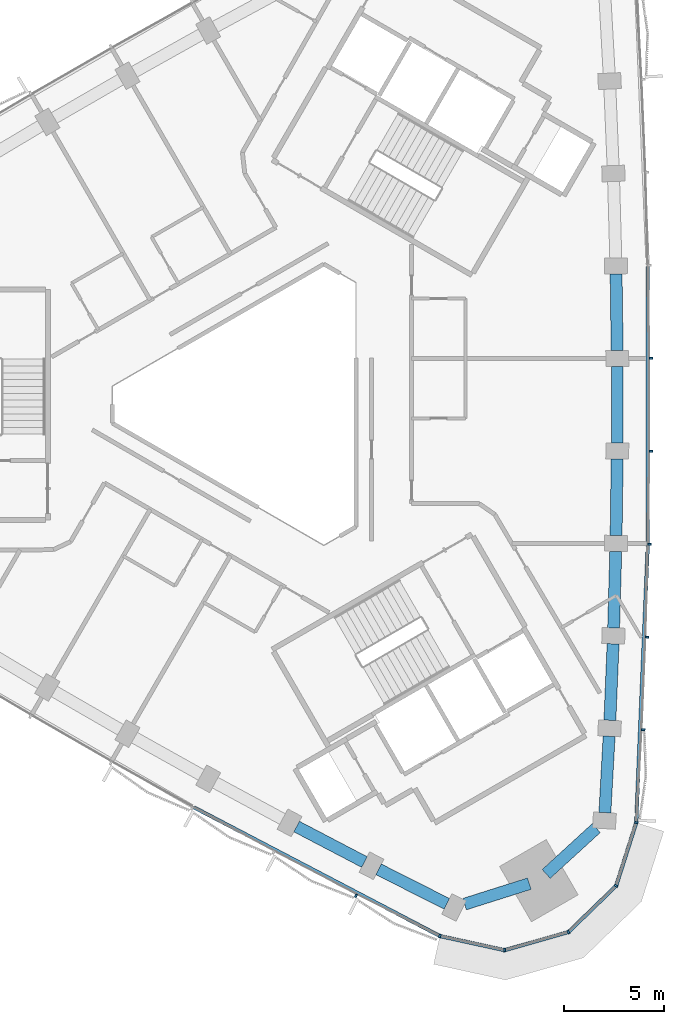
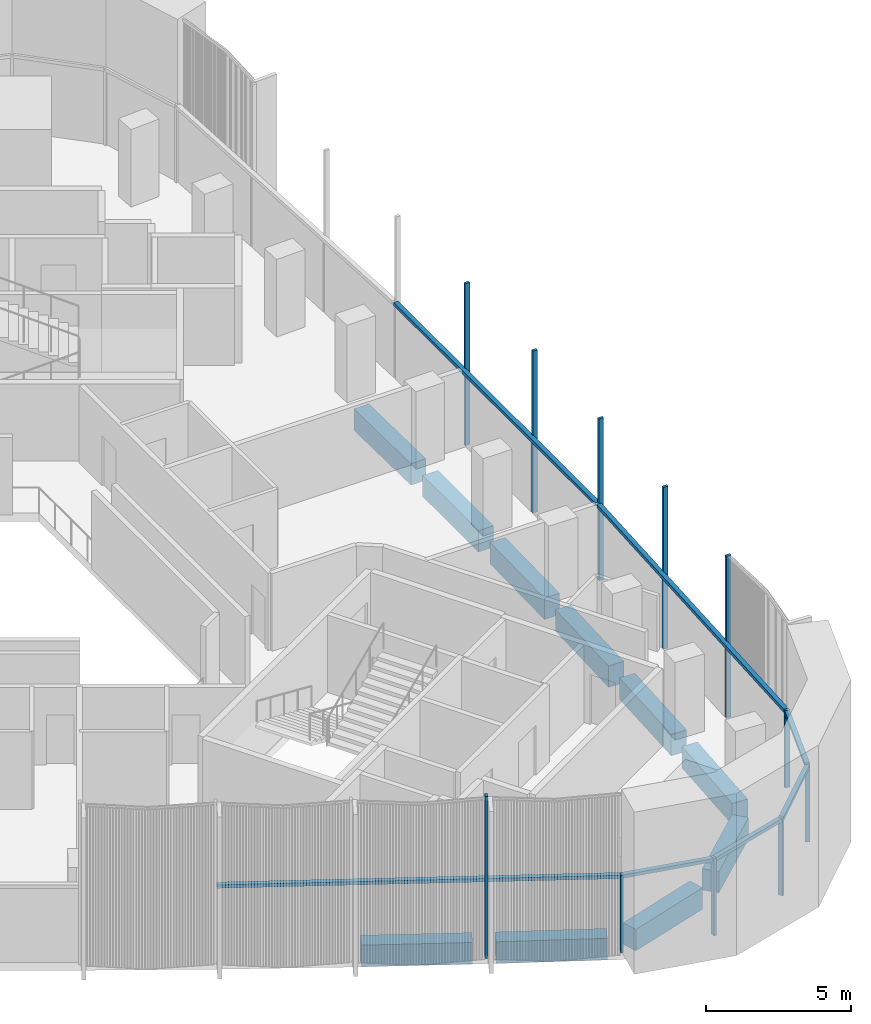
# One storey, part 3 of 13: 18 members, 10 beams, 2 elements without a shape of their own.
"""IFC4 building model written with IfcOpenShell, lengths in metres."""

from ifc_helpers import new_model, si_unit, direction, frame, origin, origin_2d, place, context, subcontext, project, spatial, rectangle, extrude, material, material_profile, profile_set, type_object, element, aggregate, save


model = new_model("IFC4")

# Units and contexts
model_context = context("Model", 3, precision=1e-05, world=origin(), true_north=direction((0.0, 1.0)))
body_context = subcontext(model_context, "Body", "Model", "MODEL_VIEW")
ifc_project = project(units=[si_unit("LENGTHUNIT", "METRE"), si_unit("AREAUNIT", "SQUARE_METRE"), si_unit("VOLUMEUNIT", "CUBIC_METRE"), si_unit("PLANEANGLEUNIT", "RADIAN"), si_unit("MASSUNIT", "GRAM", prefix="KILO")], contexts=[model_context])

# Site, building, storey
site_placement = place(None, origin())
site = spatial("IfcSite", under=ifc_project, at=site_placement, CompositionType="ELEMENT")
building_placement = place(site_placement, origin())
building = spatial("IfcBuilding", under=site, at=building_placement, Name="Tamra Quay Hotel Tower", CompositionType="ELEMENT")
storey_placement = place(building_placement, frame((0.0, 0.0, 204.39990234375)))
storey = spatial("IfcBuildingStorey", under=building, at=storey_placement, Name="L51", CompositionType="ELEMENT", Elevation=204.39990234375)

# Curtain wall, members
ifc_material_1 = material(Name="Aluminium 6063 anodised dark grey", Category="aluminium")
curtain_wall_type_1 = type_object("IfcCurtainWallType", Name="CW1 CURTAIN WALL", PredefinedType="NOTDEFINED", material=ifc_material_1)
curtain_wall_1_placement = place(storey_placement, origin())
curtain_wall_1 = element("IfcCurtainWall", 1, at=curtain_wall_1_placement, inside=storey, type_object=curtain_wall_type_1, Name="CW1 east face L51", PredefinedType="NOTDEFINED")
ifc_material_profile_1 = material_profile(ifc_material_1, rectangle(XDim=0.179931640625, YDim=0.10009765625, at=origin_2d()), Name="MULLION 100X180")
ifc_profile_set_1 = profile_set([ifc_material_profile_1], Name="Aluminium 6063 anodised dark grey")
member_type_1 = type_object("IfcMemberType", Name="MULLION CW1 Z4", PredefinedType="MULLION", material=ifc_profile_set_1)
member_1_placement = place(storey_placement, frame((18.665283203125, -20.955078125, 0.0), z_axis=(0.0, 0.0, 1.0), x_axis=(0.983509429279, -0.180856856435, 0.0)))
member_1 = element("IfcMember", 2, at=member_1_placement, type_object=member_type_1, Name="CW1 mullion L51.E.1", PredefinedType="MULLION", context=body_context, shape_type="SweptSolid", body=[
    extrude(rectangle(XDim=0.179931640625, YDim=0.10009765625, at=origin_2d()), origin(), (0.0, 0.0, 1.0), 3.25),
])
member_2_placement = place(storey_placement, frame((19.013427734375, -16.30712890625, 0.0), z_axis=(0.0, 0.0, 1.0), x_axis=(0.998822718062, -0.048509564873, 0.0)))
member_2 = element("IfcMember", 3, at=member_2_placement, type_object=member_type_1, Name="CW1 mullion L51.E.2", PredefinedType="MULLION", context=body_context, shape_type="SweptSolid", body=[
    extrude(rectangle(XDim=0.179931640625, YDim=0.10009765625, at=origin_2d()), origin(), (0.0, 0.0, 1.0), 6.800048828125),
])
member_3_placement = place(storey_placement, frame((19.20751953125, -11.64990234375, 0.0), z_axis=(0.0, 0.0, 1.0), x_axis=(0.999398551389, -0.034677593353, 0.0)))
member_3 = element("IfcMember", 4, at=member_3_placement, type_object=member_type_1, Name="CW1 mullion L51.E.3", PredefinedType="MULLION", context=body_context, shape_type="SweptSolid", body=[
    extrude(rectangle(XDim=0.179931640625, YDim=0.10009765625, at=origin_2d()), origin(), (0.0, 0.0, 1.0), 6.800048828125),
])
member_4_placement = place(storey_placement, frame((19.336669921875, -6.991455078125, 0.0), z_axis=(0.0, 0.0, 1.0), x_axis=(0.999783233149, -0.020820343761, 0.0)))
member_4 = element("IfcMember", 5, at=member_4_placement, type_object=member_type_1, Name="CW1 mullion L51.E.4", PredefinedType="MULLION", context=body_context, shape_type="SweptSolid", body=[
    extrude(rectangle(XDim=0.179931640625, YDim=0.10009765625, at=origin_2d()), origin(), (0.0, 0.0, 1.0), 6.800048828125),
])
member_5_placement = place(storey_placement, frame((19.4013671875, -2.33056640625, 0.0), z_axis=(0.0, 0.0, 1.0), x_axis=(0.999975895943, -0.006943164489, 0.0)))
member_5 = element("IfcMember", 6, at=member_5_placement, type_object=member_type_1, Name="CW1 mullion L51.E.5", PredefinedType="MULLION", context=body_context, shape_type="SweptSolid", body=[
    extrude(rectangle(XDim=0.179931640625, YDim=0.10009765625, at=origin_2d()), origin(), (0.0, 0.0, 1.0), 6.800048828125),
])
member_6_placement = place(storey_placement, frame((19.4013671875, 2.33056640625, 0.0), z_axis=(0.0, 0.0, 1.0), x_axis=(0.999975895943, 0.006943164489, 0.0)))
member_6 = element("IfcMember", 7, at=member_6_placement, type_object=member_type_1, Name="CW1 mullion L51.E.6", PredefinedType="MULLION", context=body_context, shape_type="SweptSolid", body=[
    extrude(rectangle(XDim=0.179931640625, YDim=0.10009765625, at=origin_2d()), origin(), (0.0, 0.0, 1.0), 6.800048828125),
])

curtain_wall_type_2 = type_object("IfcCurtainWallType", Name="CW3 CURTAIN WALL", PredefinedType="NOTDEFINED", material=ifc_material_1)
curtain_wall_2_placement = place(storey_placement, origin())
curtain_wall_2 = element("IfcCurtainWall", 8, at=curtain_wall_2_placement, inside=storey, type_object=curtain_wall_type_2, Name="CW3 south-west face L51", PredefinedType="NOTDEFINED")
ifc_material_profile_2 = material_profile(ifc_material_1, rectangle(XDim=0.179931640625, YDim=0.10009765625, at=origin_2d()), Name="MULLION 100X180")
ifc_profile_set_2 = profile_set([ifc_material_profile_2], Name="Aluminium 6063 anodised dark grey")
member_type_2 = type_object("IfcMemberType", Name="MULLION CW3 Z4", PredefinedType="MULLION", material=ifc_profile_set_2)
member_7_placement = place(storey_placement, frame((4.61572265625, -24.61962890625, 0.0), z_axis=(0.0, 0.0, 1.0), x_axis=(-0.457400843524, -0.889260630155, 0.0)))
member_7 = element("IfcMember", 9, at=member_7_placement, type_object=member_type_2, Name="CW3 mullion L51.SW.9", PredefinedType="MULLION", context=body_context, shape_type="SweptSolid", body=[
    extrude(rectangle(XDim=0.179931640625, YDim=0.10009765625, at=origin_2d()), origin(), (0.0, 0.0, 1.0), 6.800048828125),
])
member_8_placement = place(storey_placement, frame((8.81494140625, -26.642333984375, 0.0), z_axis=(0.0, 0.0, 1.0), x_axis=(-0.335128082518, -0.942172578834, 0.0)))
member_8 = element("IfcMember", 10, at=member_8_placement, type_object=member_type_2, Name="CW3 mullion L51.SW.10", PredefinedType="MULLION", context=body_context, shape_type="SweptSolid", body=[
    extrude(rectangle(XDim=0.179931640625, YDim=0.10009765625, at=origin_2d()), origin(), (0.0, 0.0, 1.0), 3.25),
])
member_9_placement = place(storey_placement, frame((12.06591796875, -27.353271484375, 0.0), z_axis=(0.0, 0.0, 1.0), x_axis=(0.030975337936, -0.999520149091, 0.0)))
member_9 = element("IfcMember", 11, at=member_9_placement, type_object=member_type_2, Name="CW3 mullion L51.SW.11", PredefinedType="MULLION", context=body_context, shape_type="SweptSolid", body=[
    extrude(rectangle(XDim=0.179931640625, YDim=0.10009765625, at=origin_2d()), origin(), (0.0, 0.0, 1.0), 3.25),
])
member_10_placement = place(storey_placement, frame((15.2666015625, -26.4423828125, 0.0), z_axis=(0.0, 0.0, 1.0), x_axis=(0.5, -0.866025403784, 0.0)))
member_10 = element("IfcMember", 12, at=member_10_placement, type_object=member_type_2, Name="CW3 mullion L51.SW.12", PredefinedType="MULLION", context=body_context, shape_type="SweptSolid", body=[
    extrude(rectangle(XDim=0.179931640625, YDim=0.10009765625, at=origin_2d()), origin(), (0.0, 0.0, 1.0), 3.25),
])
member_11_placement = place(storey_placement, frame((17.65576171875, -24.1259765625, 0.0), z_axis=(0.0, 0.0, 1.0), x_axis=(0.85012217174, -0.526585504089, 0.0)))
member_11 = element("IfcMember", 13, at=member_11_placement, type_object=member_type_2, Name="CW3 mullion L51.SW.13", PredefinedType="MULLION", context=body_context, shape_type="SweptSolid", body=[
    extrude(rectangle(XDim=0.179931640625, YDim=0.10009765625, at=origin_2d()), origin(), (0.0, 0.0, 1.0), 3.25),
])

# Beams
ifc_material_2 = material(Name="Concrete M60", Category="concrete")
ifc_material_profile_3 = material_profile(ifc_material_2, rectangle(XDim=0.60009765625, YDim=0.89990234375, at=origin_2d()), Name="SPANDREL BEAM RC 600x900")
ifc_profile_set_3 = profile_set([ifc_material_profile_3], Name="Concrete M60")
beam_type = type_object("IfcBeamType", Name="SPANDREL BEAM RC 600x900", PredefinedType="SPANDREL", material=ifc_profile_set_3)
beam_1_placement = place(storey_placement, frame((17.091796875, -20.456787109375, -0.7998046875), z_axis=(0.055346700292, 0.99846719664, 0.0), x_axis=(-0.99846719664, 0.055346700292, 0.0)))
element("IfcBeam", 14, at=beam_1_placement, inside=storey, type_object=beam_type, Name="BM-SP4-000-L51", PredefinedType="SPANDREL", context=body_context, shape_type="SweptSolid", body=[
    extrude(rectangle(XDim=0.60009765625, YDim=0.89990234375, at=origin_2d()), origin(), (0.0, 0.0, 1.0), 3.837646484375),
])
beam_2_placement = place(storey_placement, frame((17.343017578125, -15.82568359375, -0.7998046875), z_axis=(0.041609373826, 0.999133954988, 0.0), x_axis=(-0.999133954988, 0.041609373826, 0.0)))
element("IfcBeam", 15, at=beam_2_placement, inside=storey, type_object=beam_type, Name="BM-SP4-001-L51", PredefinedType="SPANDREL", context=body_context, shape_type="SweptSolid", body=[
    extrude(rectangle(XDim=0.60009765625, YDim=0.89990234375, at=origin_2d()), origin(), (0.0, 0.0, 1.0), 3.83740234375),
])
beam_3_placement = place(storey_placement, frame((17.530517578125, -11.192138671875, -0.7998046875), z_axis=(0.02773528523, 0.999615302981, 0.0), x_axis=(-0.999615302981, 0.02773528523, 0.0)))
element("IfcBeam", 16, at=beam_3_placement, inside=storey, type_object=beam_type, Name="BM-SP4-002-L51", PredefinedType="SPANDREL", context=body_context, shape_type="SweptSolid", body=[
    extrude(rectangle(XDim=0.60009765625, YDim=0.89990234375, at=origin_2d()), origin(), (0.0, 0.0, 1.0), 3.837890625),
])
for number, where, z_axis, x_axis, name in (
    (17, (17.65380859375, -6.555908203125, -0.7998046875), (0.01380539035, 0.999904701058, 0.0), (-0.999904701058, 0.01380539035, 0.0), "BM-SP4-003-L51"),
    (18, (17.71240234375, -1.918701171875, -0.7998046875), (0.0, 1.0, 0.0), (-1.0, 0.0, 0.0), "BM-SP4-004-L51"),
    (19, (17.706787109375, 2.71875, -0.7998046875), (-0.01380539035, 0.999904701058, 0.0), (-0.999904701058, -0.01380539035, 0.0), "BM-SP4-005-L51"),
    (20, (1.6337890625, -21.153564453125, -0.7998046875), (0.886043134182, -0.463602808845, 0.0), (0.463602808845, 0.886043134182, 0.0), "BM-SP4-029-L51"),
):
    element("IfcBeam", number, at=place(storey_placement, frame(where, z_axis=z_axis, x_axis=x_axis)), inside=storey, type_object=beam_type, Name=name, PredefinedType="SPANDREL", context=body_context, shape_type="SweptSolid", body=[
        extrude(rectangle(XDim=0.60009765625, YDim=0.89990234375, at=origin_2d()), origin(), (0.0, 0.0, 1.0), 3.83740234375),
    ])
beam_4_placement = place(storey_placement, frame((5.745361328125, -23.29833984375, -0.7998046875), z_axis=(0.892407883039, -0.451229620359, 0.0), x_axis=(0.451229620359, 0.892407883039, 0.0)))
element("IfcBeam", 21, at=beam_4_placement, inside=storey, type_object=beam_type, Name="BM-SP4-030-L51", PredefinedType="SPANDREL", context=body_context, shape_type="SweptSolid", body=[
    extrude(rectangle(XDim=0.60009765625, YDim=0.89990234375, at=origin_2d()), origin(), (0.0, 0.0, 1.0), 3.837646484375),
])
beam_5_placement = place(storey_placement, frame((10.057373046875, -25.043212890625, -0.7998046875), z_axis=(0.953502415748, 0.301385373174, 0.0), x_axis=(-0.301385373174, 0.953502415748, 0.0)))
element("IfcBeam", 22, at=beam_5_placement, inside=storey, type_object=beam_type, Name="BM-SP4-031-L51", PredefinedType="SPANDREL", context=body_context, shape_type="SweptSolid", body=[
    extrude(rectangle(XDim=0.60009765625, YDim=0.89990234375, at=origin_2d()), origin(), (0.0, 0.0, 1.0), 3.40380859375),
])
beam_6_placement = place(storey_placement, frame((14.14794921875, -23.52978515625, -0.7998046875), z_axis=(0.737716497183, 0.675110635218, 0.0), x_axis=(-0.675110635218, 0.737716497183, 0.0)))
element("IfcBeam", 23, at=beam_6_placement, inside=storey, type_object=beam_type, Name="BM-SP4-032-L51", PredefinedType="SPANDREL", context=body_context, shape_type="SweptSolid", body=[
    extrude(rectangle(XDim=0.60009765625, YDim=0.89990234375, at=origin_2d()), origin(), (0.0, 0.0, 1.0), 3.404296875),
])

# Member
ifc_material_profile_4 = material_profile(ifc_material_1, rectangle(XDim=0.179931640625, YDim=0.139892578125, at=origin_2d()), Name="TRANSOM 180X140")
ifc_profile_set_4 = profile_set([ifc_material_profile_4], Name="Aluminium 6063 anodised dark grey")
member_type_3 = type_object("IfcMemberType", Name="TRANSOM CW1 Z4", PredefinedType="USERDEFINED", material=ifc_profile_set_4)
member_12_placement = place(storey_placement, frame((18.668212890625, -20.9052734375, 3.18017578125), z_axis=(0.041588103727, 0.999134840564, 0.0), x_axis=(-0.999134840564, 0.041588103727, 0.0)))
member_12 = element("IfcMember", 24, at=member_12_placement, type_object=member_type_3, Name="CW1 transom L51.E.1", ObjectType="TRANSOM", PredefinedType="USERDEFINED", context=body_context, shape_type="SweptSolid", body=[
    extrude(rectangle(XDim=0.179931640625, YDim=0.139892578125, at=origin_2d()), origin(), (0.0, 0.0, 1.0), 13.877685546875),
])

member_13_placement = place(storey_placement, frame((19.24755859375, -6.939453125, 3.18017578125), z_axis=(0.0, 1.0, 0.0), x_axis=(-1.0, 0.0, 0.0)))
member_13 = element("IfcMember", 25, at=member_13_placement, type_object=member_type_3, Name="CW1 transom L51.E.4", ObjectType="TRANSOM", PredefinedType="USERDEFINED", context=body_context, shape_type="SweptSolid", body=[
    extrude(rectangle(XDim=0.179931640625, YDim=0.139892578125, at=origin_2d()), origin(), (0.0, 0.0, 1.0), 13.87890625),
])

aggregate(curtain_wall_1, [member_1, member_12, member_2, member_3, member_4, member_13, member_5, member_6])

ifc_material_profile_5 = material_profile(ifc_material_1, rectangle(XDim=0.179931640625, YDim=0.139892578125, at=origin_2d()), Name="TRANSOM 180X140")
ifc_profile_set_5 = profile_set([ifc_material_profile_5], Name="Aluminium 6063 anodised dark grey")
member_type_4 = type_object("IfcMemberType", Name="TRANSOM CW3 Z4", PredefinedType="USERDEFINED", material=ifc_profile_set_5)
member_14_placement = place(storey_placement, frame((-3.5263671875, -20.186767578125, 3.18017578125), z_axis=(0.886075202027, -0.463541515242, 0.0), x_axis=(0.463541515242, 0.886075202027, 0.0)))
member_14 = element("IfcMember", 26, at=member_14_placement, type_object=member_type_4, Name="CW3 transom L51.SW.7", ObjectType="TRANSOM", PredefinedType="USERDEFINED", context=body_context, shape_type="SweptSolid", body=[
    extrude(rectangle(XDim=0.179931640625, YDim=0.139892578125, at=origin_2d()), origin(), (0.0, 0.0, 1.0), 13.877685546875),
])

member_15_placement = place(storey_placement, frame((8.86376953125, -26.65283203125, 3.18017578125), z_axis=(0.976905938147, -0.21366981072, 0.0), x_axis=(0.21366981072, 0.976905938147, 0.0)))
member_15 = element("IfcMember", 27, at=member_15_placement, type_object=member_type_4, Name="CW3 transom L51.SW.10", ObjectType="TRANSOM", PredefinedType="USERDEFINED", context=body_context, shape_type="SweptSolid", body=[
    extrude(rectangle(XDim=0.179931640625, YDim=0.139892578125, at=origin_2d()), origin(), (0.0, 0.0, 1.0), 3.227783203125),
])

member_16_placement = place(storey_placement, frame((12.114013671875, -27.339599609375, 3.18017578125), z_axis=(0.961806009168, 0.273731987038, 0.0), x_axis=(-0.273731987038, 0.961806009168, 0.0)))
member_16 = element("IfcMember", 28, at=member_16_placement, type_object=member_type_4, Name="CW3 transom L51.SW.11", ObjectType="TRANSOM", PredefinedType="USERDEFINED", context=body_context, shape_type="SweptSolid", body=[
    extrude(rectangle(XDim=0.179931640625, YDim=0.139892578125, at=origin_2d()), origin(), (0.0, 0.0, 1.0), 3.227783203125),
])

member_17_placement = place(storey_placement, frame((15.302490234375, -26.407470703125, 3.18017578125), z_axis=(0.717989739808, 0.696053685811, 0.0), x_axis=(-0.696053685811, 0.717989739808, 0.0)))
member_17 = element("IfcMember", 29, at=member_17_placement, type_object=member_type_4, Name="CW3 transom L51.SW.12", ObjectType="TRANSOM", PredefinedType="USERDEFINED", context=body_context, shape_type="SweptSolid", body=[
    extrude(rectangle(XDim=0.179931640625, YDim=0.139892578125, at=origin_2d()), origin(), (0.0, 0.0, 1.0), 3.2275390625),
])

member_18_placement = place(storey_placement, frame((17.6708984375, -24.078369140625, 3.18017578125), z_axis=(0.303378482034, 0.952870136293, 0.0), x_axis=(-0.952870136293, 0.303378482034, 0.0)))
member_18 = element("IfcMember", 30, at=member_18_placement, type_object=member_type_4, Name="CW3 transom L51.SW.13", ObjectType="TRANSOM", PredefinedType="USERDEFINED", context=body_context, shape_type="SweptSolid", body=[
    extrude(rectangle(XDim=0.179931640625, YDim=0.139892578125, at=origin_2d()), origin(), (0.0, 0.0, 1.0), 3.227783203125),
])

aggregate(curtain_wall_2, [member_14, member_7, member_8, member_15, member_9, member_16, member_10, member_17, member_11, member_18])

save(model, "model.ifc")
